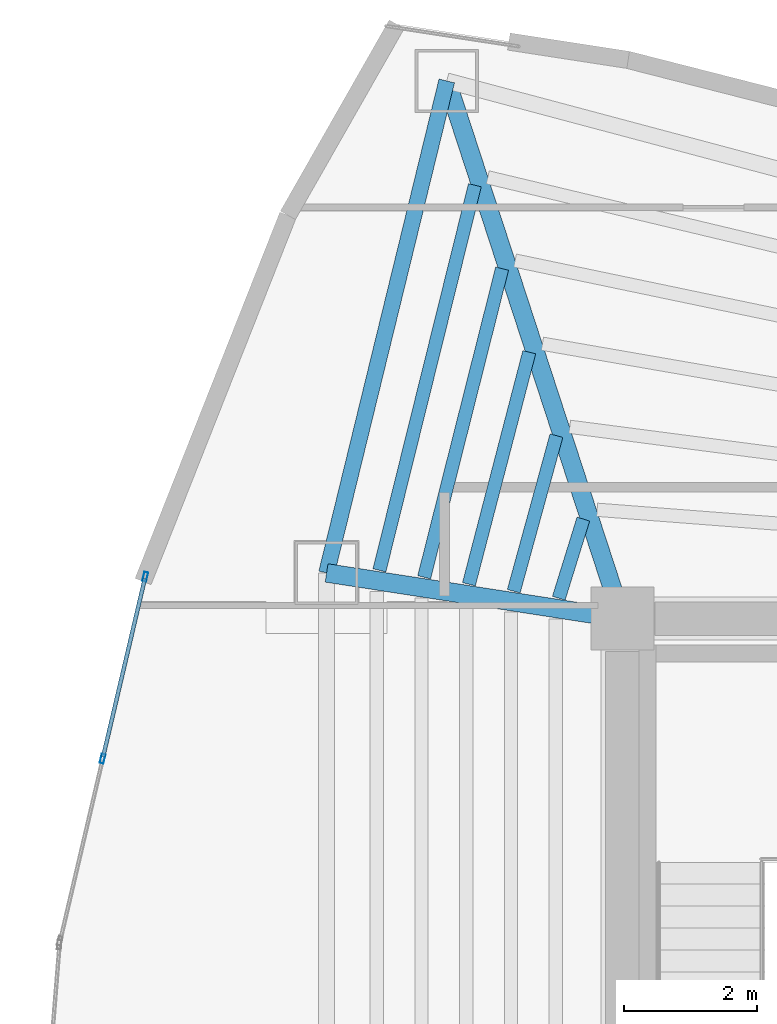
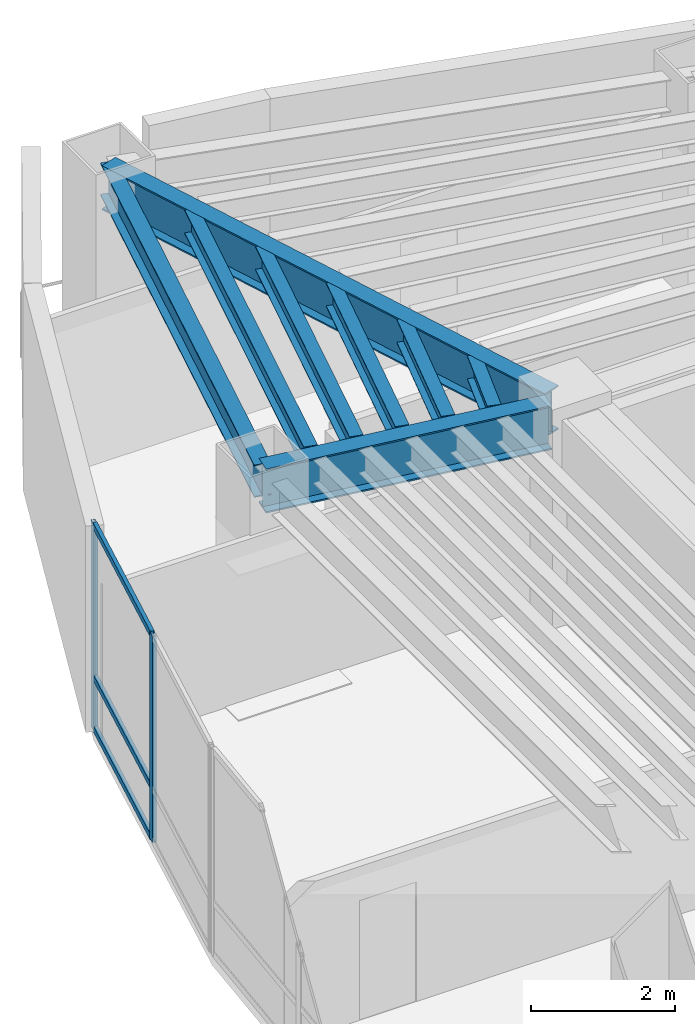
# One storey, part 6 of 15: 8 beams, 5 members, 1 element without a shape of its own.
"""IFC4 building model written with IfcOpenShell, lengths in metres."""

import ifcopenshell
import ifcopenshell.guid

model = None  # the IFC model being written
_history = None  # IfcOwnerHistory: only IFC2X3 demands one
_inside = {}  # id of a spatial element -> (the spatial element, [elements in it])
_under = {}  # id of a project, library or spatial element -> (it, [spatial elements below it])
_declared = {}  # id of a project -> (the project, [libraries it declares])
_typed = {}  # id of a type object -> (the type object, [elements of that type])
_made_of = {}  # id of a material, layer set ... -> (it, [elements and type objects made of it])


def new_model(schema):
    """Start an empty IFC model of exactly this schema.

    Asked for "IFC4X3", IfcOpenShell would pick the latest addendum, in which some entities
    have other attributes; the version numbers below select the first issue.
    IFC2X3 requires an IfcOwnerHistory on every rooted entity: one is made here for all.
    """
    global model, _history
    if schema == "IFC4X3":
        model = ifcopenshell.file(schema_version=(4, 3, 0, 0))
    else:
        model = ifcopenshell.file(schema=schema)
    _inside.clear()
    _under.clear()
    _declared.clear()
    _typed.clear()
    _made_of.clear()
    _history = None
    if model.schema == "IFC2X3":
        org = make("IfcOrganization", Name="unknown")
        user = make(
            "IfcPersonAndOrganization",
            ThePerson=make("IfcPerson", FamilyName="unknown"),
            TheOrganization=org,
        )
        app = make(
            "IfcApplication",
            ApplicationDeveloper=org,
            Version="unknown",
            ApplicationFullName="unknown",
            ApplicationIdentifier="unknown",
        )
        _history = make(
            "IfcOwnerHistory",
            OwningUser=user,
            OwningApplication=app,
            ChangeAction="ADDED",
            CreationDate=0,
        )
    return model


def make(cls, **values):
    """One entity of the class cls with the attributes given. An attribute that is None is left unset."""
    return model.create_entity(
        cls, **{name: value for name, value in values.items() if value is not None}
    )


def rooted(cls, **values):
    """An entity with a GlobalId (a new one), such as an element, a storey or a relation."""
    return make(cls, GlobalId=ifcopenshell.guid.new(), OwnerHistory=_history, **values)


def si_unit(unit_type, name, prefix=None):
    """IfcSIUnit, for example si_unit("LENGTHUNIT", "METRE", prefix="MILLI")."""
    return make("IfcSIUnit", UnitType=unit_type, Prefix=prefix, Name=name)


def assignment(units):
    """IfcUnitAssignment: the units of a project."""
    return None if units is None else make("IfcUnitAssignment", Units=units)


def point(xyz):
    """IfcCartesianPoint."""
    return None if xyz is None else make("IfcCartesianPoint", Coordinates=xyz)


def direction(xyz):
    """IfcDirection."""
    return None if xyz is None else make("IfcDirection", DirectionRatios=xyz)


def frame(location, z_axis=None, x_axis=None):
    """IfcAxis2Placement3D, a coordinate frame: its origin and axes. An axis left out is left unset."""
    return make(
        "IfcAxis2Placement3D",
        Location=point(location),
        Axis=direction(z_axis),
        RefDirection=direction(x_axis),
    )


def frame_2d(location, x_axis=None):
    """IfcAxis2Placement2D, a coordinate frame in the plane: its origin and x axis."""
    return make(
        "IfcAxis2Placement2D", Location=point(location), RefDirection=direction(x_axis)
    )


def origin():
    """The frame at (0, 0, 0) with its axes left unset."""
    return frame((0.0, 0.0, 0.0))


def origin_2d():
    """The frame at (0, 0) in the plane with its x axis left unset."""
    return frame_2d((0.0, 0.0))


def place(relative_to, where):
    """IfcLocalPlacement: puts the frame where relative to a parent placement (None: the world)."""
    return make(
        "IfcLocalPlacement", PlacementRelTo=relative_to, RelativePlacement=where
    )


def context(
    kind, dimensions, precision=None, world=None, true_north=None, identifier=None
):
    """IfcGeometricRepresentationContext, for example the 3D "Model" context."""
    return make(
        "IfcGeometricRepresentationContext",
        ContextIdentifier=identifier,
        ContextType=kind,
        CoordinateSpaceDimension=dimensions,
        Precision=precision,
        WorldCoordinateSystem=world,
        TrueNorth=true_north,
    )


def subcontext(parent, identifier, kind, view, scale=None):
    """IfcGeometricRepresentationSubContext, for example "Body" below "Model"."""
    return make(
        "IfcGeometricRepresentationSubContext",
        ContextIdentifier=identifier,
        ContextType=kind,
        ParentContext=parent,
        TargetScale=scale,
        TargetView=view,
    )


def project(units=None, contexts=None):
    """IfcProject with its units and contexts."""
    return rooted(
        "IfcProject",
        Name="project",
        RepresentationContexts=contexts,
        UnitsInContext=assignment(units),
    )


def spatial(cls, under=None, at=None, **own):
    """A site, building, storey or space (cls), placed at a placement, below another one or the project."""
    s = rooted(cls, ObjectPlacement=at, **own)
    if under is not None:
        _under.setdefault(under.id(), (under, []))[1].append(s)
    return s


def profile(cls, at=None, kind="AREA", **sizes):
    """A parametric profile (cls). Its sizes go by their IFC names, for example OverallWidth=200.0."""
    return make(cls, ProfileType=kind, Position=at, **sizes)


def hollow_rectangle(**sizes):
    """IfcRectangleHollowProfileDef."""
    return profile("IfcRectangleHollowProfileDef", **sizes)


def i_section(**sizes):
    """IfcIShapeProfileDef."""
    return profile("IfcIShapeProfileDef", **sizes)


def extrude(swept, where, along, depth):
    """IfcExtrudedAreaSolid: the profile swept, set in the frame where, extruded along a direction by depth."""
    return make(
        "IfcExtrudedAreaSolid",
        SweptArea=swept,
        Position=where,
        ExtrudedDirection=direction(along),
        Depth=depth,
    )


def shape(context_of_items, identifier, shape_type, items):
    """IfcShapeRepresentation: the items that make up one representation, for example the "Body"."""
    return make(
        "IfcShapeRepresentation",
        ContextOfItems=context_of_items,
        RepresentationIdentifier=identifier,
        RepresentationType=shape_type,
        Items=items,
    )


def material(Name=None, Category=None):
    """IfcMaterial."""
    return make("IfcMaterial", Name=Name, Category=Category)


def layer(
    of_material, thickness, ventilated=None, Name=None, Category=None, Priority=None
):
    """IfcMaterialLayer: one layer of a wall or slab, of a material (None: an air gap)."""
    return make(
        "IfcMaterialLayer",
        Material=of_material,
        LayerThickness=thickness,
        IsVentilated=ventilated,
        Name=Name,
        Category=Category,
        Priority=Priority,
    )


def layer_set(layers, Name=None):
    """IfcMaterialLayerSet."""
    return make("IfcMaterialLayerSet", MaterialLayers=layers, LayerSetName=Name)


def material_profile(
    of_material, cross_section, Name=None, Category=None, Priority=None
):
    """IfcMaterialProfile: a cross section and its material."""
    return make(
        "IfcMaterialProfile",
        Name=Name,
        Material=of_material,
        Profile=cross_section,
        Priority=Priority,
        Category=Category,
    )


def profile_set(profiles, Name=None, composite=None):
    """IfcMaterialProfileSet."""
    return make(
        "IfcMaterialProfileSet",
        Name=Name,
        MaterialProfiles=profiles,
        CompositeProfile=composite,
    )


def made_of(thing, what):
    """Note that an element or type object is made of a material, layer set ...; save() writes the relation."""
    if what is not None:
        _made_of.setdefault(what.id(), (what, []))[1].append(thing)
    return thing


def type_object(cls, material=None, **own):
    """A type object (cls), such as IfcWallType, which elements share."""
    return made_of(rooted(cls, **own), material)


def element(
    cls,
    number,
    at=None,
    inside=None,
    cuts=None,
    type_object=None,
    material=None,
    context=None,
    identifier="Body",
    shape_type=None,
    held_by="IfcProductDefinitionShape",
    body=None,
    shapes=None,
    **own,
):
    """One element of the class cls, such as IfcWall. Its Tag is "e" and its number.

    at: its placement. inside: the storey or other place that contains it. cuts: it is an
    opening in that element (IfcRelVoidsElement). A single representation is given by context,
    identifier, shape_type and body (its items); several are given by shapes. held_by: the class
    of the entity that holds the representations. save() writes the other relations.
    """
    e = rooted(cls, Tag="e%d" % number, ObjectPlacement=at, **own)
    if body is not None:
        shapes = [shape(context, identifier, shape_type, body)]
    if shapes is not None:
        e.Representation = make(held_by, Representations=shapes)
    if inside is not None:
        _inside.setdefault(inside.id(), (inside, []))[1].append(e)
    if cuts is not None:
        rooted(
            "IfcRelVoidsElement", RelatingBuildingElement=cuts, RelatedOpeningElement=e
        )
    if type_object is not None:
        _typed.setdefault(type_object.id(), (type_object, []))[1].append(e)
    return made_of(e, material)


def aggregate(whole, parts):
    """IfcRelAggregates: a whole, such as a stair, and the parts it consists of."""
    return rooted("IfcRelAggregates", RelatingObject=whole, RelatedObjects=parts)


def save(model, path):
    """Write the relations noted so far, then the file.

    IfcRelAggregates (storeys below a building ...), IfcRelContainedInSpatialStructure (elements
    in a storey), IfcRelDefinesByType, IfcRelAssociatesMaterial and IfcRelDeclares: one each for
    every whole, place, type object, material and project.
    """
    for whole, parts in _under.values():
        aggregate(whole, parts)
    for where, things in _inside.values():
        rooted(
            "IfcRelContainedInSpatialStructure",
            RelatedElements=things,
            RelatingStructure=where,
        )
    for kind, things in _typed.values():
        rooted("IfcRelDefinesByType", RelatedObjects=things, RelatingType=kind)
    for what, things in _made_of.values():
        rooted("IfcRelAssociatesMaterial", RelatedObjects=things, RelatingMaterial=what)
    for by, libraries in _declared.values():
        rooted("IfcRelDeclares", RelatingContext=by, RelatedDefinitions=libraries)
    model.write(path)


model = new_model("IFC4")

# Units and contexts
model_context = context("Model", 3, precision=1e-05, world=origin(), true_north=direction((0.0, 1.0)))
body_context = subcontext(model_context, "Body", "Model", "MODEL_VIEW")
ifc_project = project(units=[si_unit("LENGTHUNIT", "METRE"), si_unit("AREAUNIT", "SQUARE_METRE"), si_unit("VOLUMEUNIT", "CUBIC_METRE"), si_unit("PLANEANGLEUNIT", "RADIAN"), si_unit("MASSUNIT", "GRAM", prefix="KILO")], contexts=[model_context])

# Site, building, storey
site_placement = place(None, origin())
site = spatial("IfcSite", under=ifc_project, at=site_placement, CompositionType="ELEMENT")
building_placement = place(site_placement, origin())
building = spatial("IfcBuilding", under=site, at=building_placement, Name="Menara Vayukalpa", CompositionType="ELEMENT")
storey_placement = place(building_placement, frame((0.0, 0.0, 180.360107421875)))
storey = spatial("IfcBuildingStorey", under=building, at=storey_placement, Name="L45", CompositionType="ELEMENT", Elevation=180.360107421875)

# Beams
ifc_material_1 = material(Name="Steel S355", Category="steel")
ifc_material_profile_1 = material_profile(ifc_material_1, i_section(OverallWidth=0.280029296875, OverallDepth=0.75, WebThickness=0.013916015625, FlangeThickness=0.02490234375, at=origin_2d()), Name="WF 750x280x14x25")
ifc_profile_set_1 = profile_set([ifc_material_profile_1], Name="Steel S355")
beam_type_1 = type_object("IfcBeamType", Name="BM-PG4", PredefinedType="BEAM", material=ifc_profile_set_1)
beam_1_placement = place(storey_placement, frame((17.722412109375, 27.03759765625, 3.125), z_axis=(-0.310343552153, 0.950624468251, 0.0), x_axis=(-0.950624468251, -0.310343552153, 0.0)))
element("IfcBeam", 1, at=beam_1_placement, inside=storey, type_object=beam_type_1, Name="L45 Primary Radial Girder RG04", PredefinedType="BEAM", context=body_context, shape_type="SweptSolid", body=[
    extrude(i_section(OverallWidth=0.280029296875, OverallDepth=0.75, WebThickness=0.013916015625, FlangeThickness=0.02490234375, at=origin_2d()), origin(), (0.0, 0.0, 1.0), 8.2734375),
])
beam_2_placement = place(storey_placement, frame((17.552978515625, 26.838134765625, 3.125), z_axis=(-0.988244781219, 0.152879862617, 0.0), x_axis=(-0.152879862617, -0.988244781219, 0.0)))
element("IfcBeam", 2, at=beam_2_placement, inside=storey, type_object=beam_type_1, Name="L45 Primary Radial Girder RG05", PredefinedType="BEAM", context=body_context, shape_type="SweptSolid", body=[
    extrude(i_section(OverallWidth=0.280029296875, OverallDepth=0.75, WebThickness=0.013916015625, FlangeThickness=0.02490234375, at=origin_2d()), origin(), (0.0, 0.0, 1.0), 4.259033203125),
])
ifc_material_2 = material(Name="Steel S355", Category="steel")
ifc_material_profile_2 = material_profile(ifc_material_2, i_section(OverallWidth=0.199951171875, OverallDepth=0.39990234375, WebThickness=0.008056640625, FlangeThickness=0.012939453125, at=origin_2d()), Name="WF 400x200x8x13")
ifc_profile_set_2 = profile_set([ifc_material_profile_2], Name="Steel S355")
beam_type_2 = type_object("IfcBeamType", Name="BM-SJ2", PredefinedType="JOIST", material=ifc_profile_set_2)
beam_3_placement = place(storey_placement, frame((17.212890625, 28.300537109375, 3.2998046875), z_axis=(-0.296448419226, -0.955048865105, 0.0), x_axis=(0.955048865105, -0.296448419226, 0.0)))
element("IfcBeam", 3, at=beam_3_placement, inside=storey, type_object=beam_type_2, Name="L45 Secondary Floor Joist SJ04-1", PredefinedType="JOIST", context=body_context, shape_type="SweptSolid", body=[
    extrude(i_section(OverallWidth=0.199951171875, OverallDepth=0.39990234375, WebThickness=0.008056640625, FlangeThickness=0.012939453125, at=origin_2d()), origin(), (0.0, 0.0, 1.0), 1.24853515625),
])
beam_4_placement = place(storey_placement, frame((16.80712890625, 29.5576171875, 3.2998046875), z_axis=(-0.264502665082, -0.964384954344, 0.0), x_axis=(0.964384954344, -0.264502665082, 0.0)))
element("IfcBeam", 4, at=beam_4_placement, inside=storey, type_object=beam_type_2, Name="L45 Secondary Floor Joist SJ04-2", PredefinedType="JOIST", context=body_context, shape_type="SweptSolid", body=[
    extrude(i_section(OverallWidth=0.199951171875, OverallDepth=0.39990234375, WebThickness=0.008056640625, FlangeThickness=0.012939453125, at=origin_2d()), origin(), (0.0, 0.0, 1.0), 2.430419921875),
])
beam_5_placement = place(storey_placement, frame((16.398193359375, 30.815185546875, 3.2998046875), z_axis=(-0.251714869346, -0.967801438597, 0.0), x_axis=(0.967801438597, -0.251714869346, 0.0)))
element("IfcBeam", 5, at=beam_5_placement, inside=storey, type_object=beam_type_2, Name="L45 Secondary Floor Joist SJ04-3", PredefinedType="JOIST", context=body_context, shape_type="SweptSolid", body=[
    extrude(i_section(OverallWidth=0.199951171875, OverallDepth=0.39990234375, WebThickness=0.008056640625, FlangeThickness=0.012939453125, at=origin_2d()), origin(), (0.0, 0.0, 1.0), 3.61279296875),
])
beam_6_placement = place(storey_placement, frame((15.988525390625, 32.073486328125, 3.2998046875), z_axis=(-0.24483447751, -0.969564891393, 0.0), x_axis=(0.969564891393, -0.24483447751, 0.0)))
element("IfcBeam", 6, at=beam_6_placement, inside=storey, type_object=beam_type_2, Name="L45 Secondary Floor Joist SJ04-4", PredefinedType="JOIST", context=body_context, shape_type="SweptSolid", body=[
    extrude(i_section(OverallWidth=0.199951171875, OverallDepth=0.39990234375, WebThickness=0.008056640625, FlangeThickness=0.012939453125, at=origin_2d()), origin(), (0.0, 0.0, 1.0), 4.79638671875),
])
beam_7_placement = place(storey_placement, frame((15.57861328125, 33.33154296875, 3.2998046875), z_axis=(-0.240556182956, -0.970635216156, 0.0), x_axis=(0.970635216156, -0.240556182956, 0.0)))
element("IfcBeam", 7, at=beam_7_placement, inside=storey, type_object=beam_type_2, Name="L45 Secondary Floor Joist SJ04-5", PredefinedType="JOIST", context=body_context, shape_type="SweptSolid", body=[
    extrude(i_section(OverallWidth=0.199951171875, OverallDepth=0.39990234375, WebThickness=0.008056640625, FlangeThickness=0.012939453125, at=origin_2d()), origin(), (0.0, 0.0, 1.0), 5.979736328125),
])
ifc_material_3 = material(Name="Steel S355", Category="steel")
ifc_material_profile_3 = material_profile(ifc_material_3, i_section(OverallWidth=0.239990234375, OverallDepth=0.550048828125, WebThickness=0.010986328125, FlangeThickness=0.01904296875, at=origin_2d()), Name="WF 550x240x11x19")
ifc_profile_set_3 = profile_set([ifc_material_profile_3], Name="Steel S355")
beam_type_3 = type_object("IfcBeamType", Name="BM-SP2", PredefinedType="SPANDREL", material=ifc_profile_set_3)
beam_8_placement = place(storey_placement, frame((15.15478515625, 34.902587890625, 3.224853515625), z_axis=(-0.237285374413, -0.971439988414, 0.0), x_axis=(0.971439988414, -0.237285374413, 0.0)))
element("IfcBeam", 8, at=beam_8_placement, inside=storey, type_object=beam_type_3, Name="L45 Perimeter Spandrel Beam SP04", PredefinedType="SPANDREL", context=body_context, shape_type="SweptSolid", body=[
    extrude(i_section(OverallWidth=0.239990234375, OverallDepth=0.550048828125, WebThickness=0.010986328125, FlangeThickness=0.01904296875, at=origin_2d()), origin(), (0.0, 0.0, 1.0), 7.63134765625),
])

# Curtain wall, members
ifc_material_4 = material(Name="Anodised Terracotta Aluminium Alloy 6063-T6", Category="masonry")
ifc_layer = layer(ifc_material_4, 0.139892578125)
ifc_layer_set = layer_set([ifc_layer], Name="Anodised Terracotta Aluminium Alloy 6063-T6")
curtain_wall_type = type_object("IfcCurtainWallType", Name="CW-CW5", PredefinedType="USERDEFINED", material=ifc_layer_set)
curtain_wall_placement = place(storey_placement, origin())
curtain_wall = element("IfcCurtainWall", 9, at=curtain_wall_placement, inside=storey, type_object=curtain_wall_type, Name="L45 High Rise Tapered Curtain Wall CW5 10", ObjectType="UNITISED", PredefinedType="USERDEFINED")
ifc_material_5 = material(Name="Anodised Terracotta Aluminium Alloy 6063-T6", Category="masonry")
ifc_material_profile_4 = material_profile(ifc_material_5, hollow_rectangle(XDim=0.06005859375, YDim=0.139892578125, WallThickness=0.00341796875, at=origin_2d()), Name="ALU 60x140x3.5")
ifc_profile_set_4 = profile_set([ifc_material_profile_4], Name="Anodised Terracotta Aluminium Alloy 6063-T6")
member_type_1 = type_object("IfcMemberType", Name="CWM-CW5", PredefinedType="MULLION", material=ifc_profile_set_4)
member_1_placement = place(storey_placement, frame((10.612548828125, 27.433349609375, 0.0), z_axis=(0.0, 0.0, 1.0), x_axis=(0.973626241643, -0.228148946052, 0.0)))
member_1 = element("IfcMember", 10, at=member_1_placement, type_object=member_type_1, Name="CW5 mullion 1", PredefinedType="MULLION", context=body_context, shape_type="SweptSolid", body=[
    extrude(hollow_rectangle(XDim=0.06005859375, YDim=0.139892578125, WallThickness=0.00341796875, at=origin_2d()), origin(), (0.0, 0.0, 1.0), 3.5),
])
member_2_placement = place(storey_placement, frame((9.969482421875, 24.689208984375, 0.0), z_axis=(0.0, 0.0, 1.0), x_axis=(0.973626241643, -0.228148946052, 0.0)))
member_2 = element("IfcMember", 11, at=member_2_placement, type_object=member_type_1, Name="CW5 mullion 2", PredefinedType="MULLION", context=body_context, shape_type="SweptSolid", body=[
    extrude(hollow_rectangle(XDim=0.06005859375, YDim=0.139892578125, WallThickness=0.00341796875, at=origin_2d()), origin(), (0.0, 0.0, 1.0), 3.5),
])
ifc_material_6 = material(Name="Anodised Terracotta Aluminium Alloy 6063-T6", Category="masonry")
ifc_material_profile_5 = material_profile(ifc_material_6, hollow_rectangle(XDim=0.06005859375, YDim=0.10498046875, WallThickness=0.0029296875, at=origin_2d()), Name="ALU 60x105x3")
ifc_profile_set_5 = profile_set([ifc_material_profile_5], Name="Anodised Terracotta Aluminium Alloy 6063-T6")
member_type_2 = type_object("IfcMemberType", Name="CWT-CW5", PredefinedType="USERDEFINED", material=ifc_profile_set_5)
member_3_placement = place(storey_placement, frame((10.605712890625, 27.404296875, 0.02978515625), z_axis=(-0.228141514306, -0.973627983087, 0.0), x_axis=(0.973627983087, -0.228141514306, 0.0)))
member_3 = element("IfcMember", 12, at=member_3_placement, type_object=member_type_2, Name="CW5 transom 1.1", ObjectType="TRANSOM", PredefinedType="USERDEFINED", context=body_context, shape_type="SweptSolid", body=[
    extrude(hollow_rectangle(XDim=0.06005859375, YDim=0.10498046875, WallThickness=0.0029296875, at=origin_2d()), origin(), (0.0, 0.0, 1.0), 2.7587890625),
])
member_4_placement = place(storey_placement, frame((10.605712890625, 27.404296875, 0.89990234375), z_axis=(-0.228141514306, -0.973627983087, 0.0), x_axis=(0.973627983087, -0.228141514306, 0.0)))
member_4 = element("IfcMember", 13, at=member_4_placement, type_object=member_type_2, Name="CW5 transom 1.2", ObjectType="TRANSOM", PredefinedType="USERDEFINED", context=body_context, shape_type="SweptSolid", body=[
    extrude(hollow_rectangle(XDim=0.06005859375, YDim=0.10498046875, WallThickness=0.0029296875, at=origin_2d()), origin(), (0.0, 0.0, 1.0), 2.7587890625),
])
member_5_placement = place(storey_placement, frame((10.605712890625, 27.404296875, 3.469970703125), z_axis=(-0.228141514306, -0.973627983087, 0.0), x_axis=(0.973627983087, -0.228141514306, 0.0)))
member_5 = element("IfcMember", 14, at=member_5_placement, type_object=member_type_2, Name="CW5 transom 1.3", ObjectType="TRANSOM", PredefinedType="USERDEFINED", context=body_context, shape_type="SweptSolid", body=[
    extrude(hollow_rectangle(XDim=0.06005859375, YDim=0.10498046875, WallThickness=0.0029296875, at=origin_2d()), origin(), (0.0, 0.0, 1.0), 2.7587890625),
])
aggregate(curtain_wall, [member_1, member_2, member_3, member_4, member_5])

save(model, "model.ifc")
